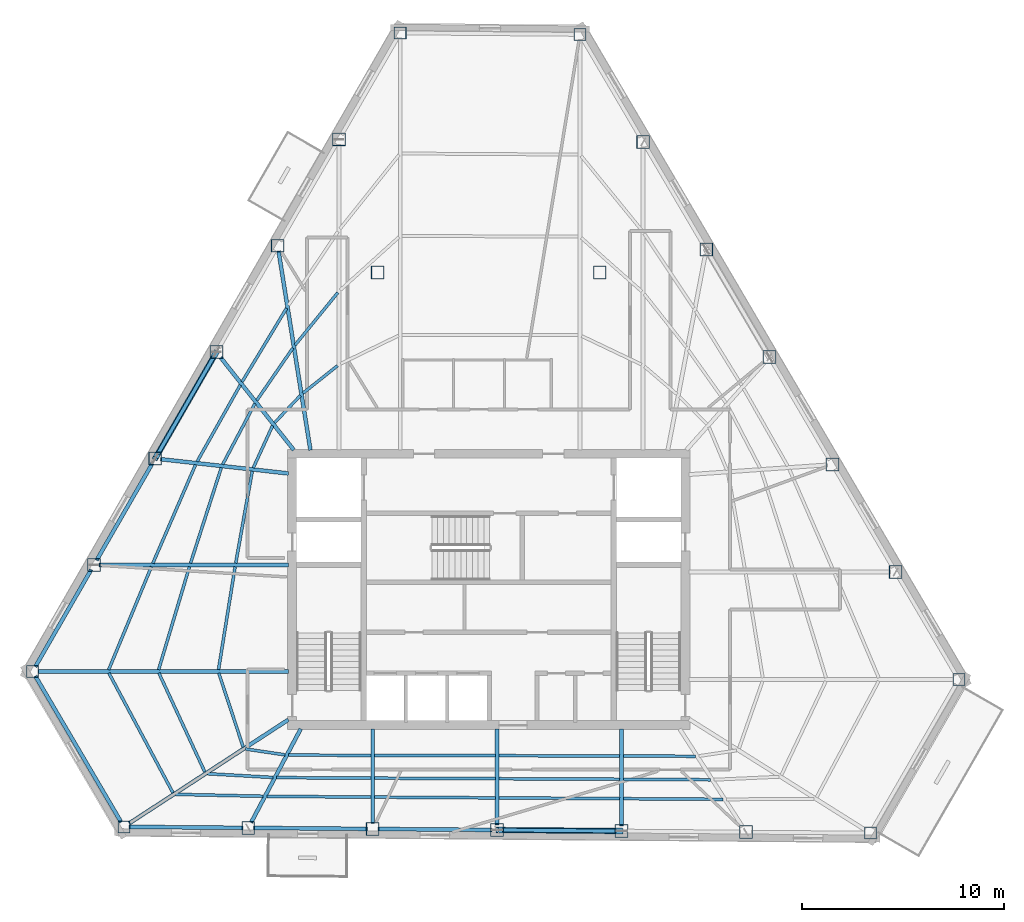
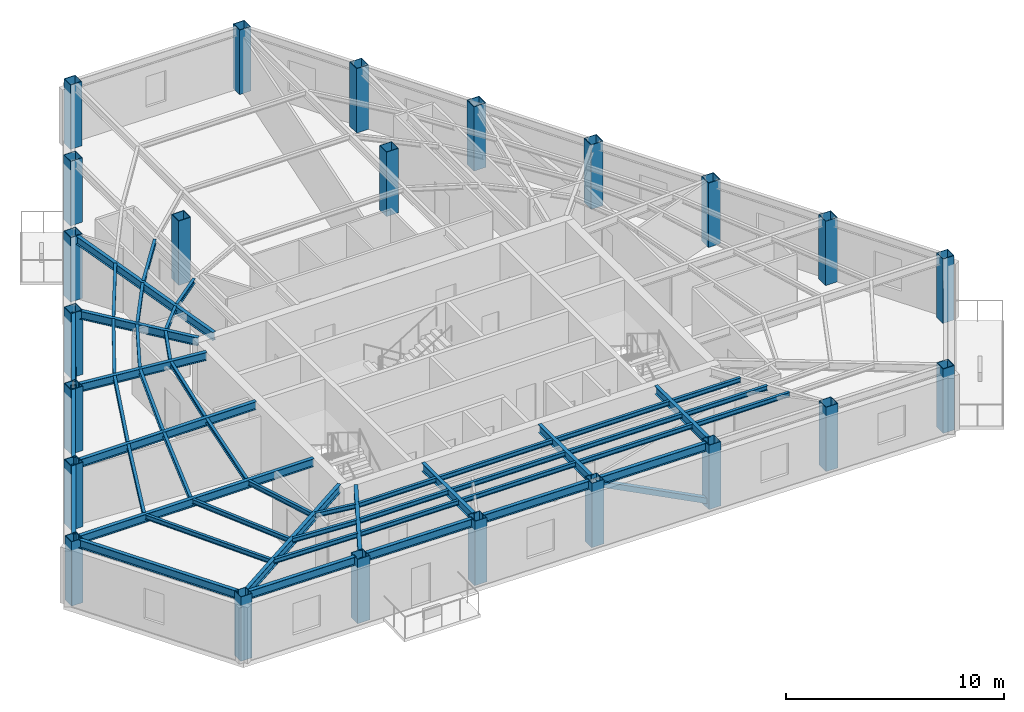
# One storey, part 1 of 12: 50 beams, 23 columns, 2 members.
"""IFC4 building model written with IfcOpenShell, lengths in metres."""

from ifc_helpers import new_model, si_unit, direction, frame, origin, origin_2d, place, context, subcontext, project, spatial, hollow_rectangle, i_section, extrude, material, material_profile, profile_set, type_object, element, save


model = new_model("IFC4")

# Units and contexts
model_context = context("Model", 3, precision=1e-05, world=origin(), true_north=direction((0.0, 1.0)))
body_context = subcontext(model_context, "Body", "Model", "MODEL_VIEW")
ifc_project = project(units=[si_unit("LENGTHUNIT", "METRE"), si_unit("AREAUNIT", "SQUARE_METRE"), si_unit("VOLUMEUNIT", "CUBIC_METRE"), si_unit("PLANEANGLEUNIT", "RADIAN"), si_unit("MASSUNIT", "GRAM", prefix="KILO")], contexts=[model_context])

# Site, building, storey
site_placement = place(None, origin())
site = spatial("IfcSite", under=ifc_project, at=site_placement, CompositionType="ELEMENT")
building_placement = place(site_placement, origin())
building = spatial("IfcBuilding", under=site, at=building_placement, Name="Kavelnor Concourse Tower", CompositionType="ELEMENT")
storey_placement = place(building_placement, frame((0.0, 0.0, 191.949951171875)))
storey = spatial("IfcBuildingStorey", under=building, at=storey_placement, Name="L48", CompositionType="ELEMENT", Elevation=191.949951171875)

# Columns
ifc_material = material(Name="Steel Grade 350", Category="steel")
ifc_material_profile_1 = material_profile(ifc_material, hollow_rectangle(XDim=0.60009765625, YDim=0.60009765625, WallThickness=0.028076171875, at=origin_2d()), Name="SHS 600x600x28")
ifc_profile_set_1 = profile_set([ifc_material_profile_1], Name="Steel Grade 350")
column_type_1 = type_object("IfcColumnType", Name="COL-FOLD-Z3", PredefinedType="COLUMN", material=ifc_profile_set_1)
for number, where, z_axis, x_axis, name in (
    (1, (33.617431640625, 43.663330078125, 0.0), (0.0, 0.0, 1.0), (1.0, 0.0, 0.0), "L48 Perimeter Corner-Fold Column F0-B0"),
    (2, (15.412841796875, 12.04345703125, 0.0), (0.0, 0.0, 1.0), (1.0, 0.0, 0.0), "L48 Perimeter Corner-Fold Column F0-B6"),
    (3, (19.93212890625, 4.34619140625, 0.0), (0.0, 0.0, 1.0), (1.0, 0.0, 0.0), "L48 Perimeter Corner-Fold Column F1-B0"),
    (4, (56.900634765625, 4.03125, 0.0), (0.0, 0.0, 1.0), (1.0, 0.0, 0.0), "L48 Perimeter Corner-Fold Column F1-B6"),
    (5, (61.2802734375, 11.638427734375, 0.0), (0.0, 0.0, 1.0), (1.0, 0.0, 0.0), "L48 Perimeter Corner-Fold Column F2-B0"),
    (6, (42.522216796875, 43.58740234375, 0.0), (0.0, 0.0, 1.0), (1.0, 0.0, 0.0), "L48 Perimeter Corner-Fold Column F2-B6"),
):
    element("IfcColumn", number, at=place(storey_placement, frame(where, z_axis=z_axis, x_axis=x_axis)), inside=storey, type_object=column_type_1, Name=name, PredefinedType="COLUMN", context=body_context, shape_type="SweptSolid", body=[
        extrude(hollow_rectangle(XDim=0.60009765625, YDim=0.60009765625, WallThickness=0.028076171875, at=origin_2d()), origin(), (0.0, 0.0, 1.0), 3.60009765625),
    ])
ifc_material_profile_2 = material_profile(ifc_material, hollow_rectangle(XDim=0.639892578125, YDim=0.639892578125, WallThickness=0.028076171875, at=origin_2d()), Name="SHS 640x640x28")
ifc_profile_set_2 = profile_set([ifc_material_profile_2], Name="Steel Grade 350")
column_type_2 = type_object("IfcColumnType", Name="COL-TUBE-Z3", PredefinedType="COLUMN", material=ifc_profile_set_2)
for number, where, z_axis, x_axis, name in (
    (7, (30.58349609375, 38.393310546875, 0.0), (0.0, 0.0, 1.0), (1.0, 0.0, 0.0), "L48 Perimeter Framed-Tube Column F0-B1"),
    (8, (27.54931640625, 33.123291015625, 0.0), (0.0, 0.0, 1.0), (1.0, 0.0, 0.0), "L48 Perimeter Framed-Tube Column F0-B2"),
    (9, (24.51513671875, 27.853515625, 0.0), (0.0, 0.0, 1.0), (1.0, 0.0, 0.0), "L48 Perimeter Framed-Tube Column F0-B3"),
    (10, (21.481201171875, 22.58349609375, 0.0), (0.0, 0.0, 1.0), (1.0, 0.0, 0.0), "L48 Perimeter Framed-Tube Column F0-B4"),
    (11, (18.447021484375, 17.3134765625, 0.0), (0.0, 0.0, 1.0), (1.0, 0.0, 0.0), "L48 Perimeter Framed-Tube Column F0-B5"),
    (12, (26.093505859375, 4.293701171875, 0.0), (0.0, 0.0, 1.0), (1.0, 0.0, 0.0), "L48 Perimeter Framed-Tube Column F1-B1"),
    (13, (32.2548828125, 4.2412109375, 0.0), (0.0, 0.0, 1.0), (1.0, 0.0, 0.0), "L48 Perimeter Framed-Tube Column F1-B2"),
    (14, (38.41650390625, 4.188720703125, 0.0), (0.0, 0.0, 1.0), (1.0, 0.0, 0.0), "L48 Perimeter Framed-Tube Column F1-B3"),
    (15, (44.577880859375, 4.13623046875, 0.0), (0.0, 0.0, 1.0), (1.0, 0.0, 0.0), "L48 Perimeter Framed-Tube Column F1-B4"),
    (16, (50.7392578125, 4.083740234375, 0.0), (0.0, 0.0, 1.0), (1.0, 0.0, 0.0), "L48 Perimeter Framed-Tube Column F1-B5"),
    (17, (58.15380859375, 16.96337890625, 0.0), (0.0, 0.0, 1.0), (1.0, 0.0, 0.0), "L48 Perimeter Framed-Tube Column F2-B1"),
    (18, (55.027587890625, 22.2880859375, 0.0), (0.0, 0.0, 1.0), (1.0, 0.0, 0.0), "L48 Perimeter Framed-Tube Column F2-B2"),
    (19, (51.901123046875, 27.61279296875, 0.0), (0.0, 0.0, 1.0), (1.0, 0.0, 0.0), "L48 Perimeter Framed-Tube Column F2-B3"),
    (20, (48.77490234375, 32.937744140625, 0.0), (0.0, 0.0, 1.0), (1.0, 0.0, 0.0), "L48 Perimeter Framed-Tube Column F2-B4"),
    (21, (45.6484375, 38.2626953125, 0.0), (0.0, 0.0, 1.0), (1.0, 0.0, 0.0), "L48 Perimeter Framed-Tube Column F2-B5"),
    (22, (32.5, 31.800048828125, 0.0), (0.0, 0.0, 1.0), (1.0, 0.0, 0.0), "L48 North Interior Gravity Column BC-NW"),
    (23, (43.5, 31.800048828125, 0.0), (0.0, 0.0, 1.0), (1.0, 0.0, 0.0), "L48 North Interior Gravity Column BC-NE"),
):
    element("IfcColumn", number, at=place(storey_placement, frame(where, z_axis=z_axis, x_axis=x_axis)), inside=storey, type_object=column_type_2, Name=name, PredefinedType="COLUMN", context=body_context, shape_type="SweptSolid", body=[
        extrude(hollow_rectangle(XDim=0.639892578125, YDim=0.639892578125, WallThickness=0.028076171875, at=origin_2d()), origin(), (0.0, 0.0, 1.0), 3.60009765625),
    ])

# Beams
ifc_material_profile_3 = material_profile(ifc_material, i_section(OverallWidth=0.14599609375, OverallDepth=0.256103515625, WebThickness=0.00634765625, FlangeThickness=0.010986328125, at=origin_2d()), Name="250UB37")
ifc_profile_set_3 = profile_set([ifc_material_profile_3], Name="Steel Grade 350")
beam_type_1 = type_object("IfcBeamType", Name="BM-JOIST-250", PredefinedType="JOIST", material=ifc_profile_set_3)
beam_1_placement = place(storey_placement, frame((24.6337890625, 11.958984375, 3.47216796875), z_axis=(0.313072497392, -0.949729230558, 0.0), x_axis=(0.949729230558, 0.313072497392, 0.0)))
element("IfcBeam", 24, at=beam_1_placement, inside=storey, type_object=beam_type_1, Name="L48 Secondary Composite Joist 01-1", PredefinedType="JOIST", context=body_context, shape_type="SweptSolid", body=[
    extrude(i_section(OverallWidth=0.14599609375, OverallDepth=0.256103515625, WebThickness=0.00634765625, FlangeThickness=0.010986328125, at=origin_2d()), origin(), (0.0, 0.0, 1.0), 3.85546875),
])
beam_2_placement = place(storey_placement, frame((21.665771484375, 11.962646484375, 3.47216796875), z_axis=(0.421160430378, -0.906986158596, 0.0), x_axis=(0.906986158596, 0.421160430378, 0.0)))
element("IfcBeam", 25, at=beam_2_placement, inside=storey, type_object=beam_type_1, Name="L48 Secondary Composite Joist 01-2", PredefinedType="JOIST", context=body_context, shape_type="SweptSolid", body=[
    extrude(i_section(OverallWidth=0.14599609375, OverallDepth=0.256103515625, WebThickness=0.00634765625, FlangeThickness=0.010986328125, at=origin_2d()), origin(), (0.0, 0.0, 1.0), 5.402587890625),
])
beam_3_placement = place(storey_placement, frame((19.18896484375, 11.96484375, 3.47216796875), z_axis=(0.471740858247, -0.88173724128, 0.0), x_axis=(0.88173724128, 0.471740858247, 0.0)))
element("IfcBeam", 26, at=beam_3_placement, inside=storey, type_object=beam_type_1, Name="L48 Secondary Composite Joist 01-3", PredefinedType="JOIST", context=body_context, shape_type="SweptSolid", body=[
    extrude(i_section(OverallWidth=0.14599609375, OverallDepth=0.256103515625, WebThickness=0.00634765625, FlangeThickness=0.010986328125, at=origin_2d()), origin(), (0.0, 0.0, 1.0), 6.725830078125),
])
beam_4_placement = place(storey_placement, frame((25.95654296875, 8.19970703125, 3.47216796875), z_axis=(0.989213398726, -0.146481574886, 0.0), x_axis=(0.146481574886, 0.989213398726, 0.0)))
element("IfcBeam", 27, at=beam_4_placement, inside=storey, type_object=beam_type_1, Name="L48 Secondary Composite Joist 02-1", PredefinedType="JOIST", context=body_context, shape_type="SweptSolid", body=[
    extrude(i_section(OverallWidth=0.14599609375, OverallDepth=0.256103515625, WebThickness=0.00634765625, FlangeThickness=0.010986328125, at=origin_2d()), origin(), (0.0, 0.0, 1.0), 1.978271484375),
])
beam_5_placement = place(storey_placement, frame((24.0673828125, 6.976806640625, 3.47216796875), z_axis=(0.998346143934, -0.057488928435, 0.0), x_axis=(0.057488928435, 0.998346143934, 0.0)))
element("IfcBeam", 28, at=beam_5_placement, inside=storey, type_object=beam_type_1, Name="L48 Secondary Composite Joist 02-2", PredefinedType="JOIST", context=body_context, shape_type="SweptSolid", body=[
    extrude(i_section(OverallWidth=0.14599609375, OverallDepth=0.256103515625, WebThickness=0.00634765625, FlangeThickness=0.010986328125, at=origin_2d()), origin(), (0.0, 0.0, 1.0), 3.261474609375),
])
beam_6_placement = place(storey_placement, frame((22.49267578125, 5.9541015625, 3.47216796875), z_axis=(0.999758149646, -0.021991867033, 0.0), x_axis=(0.021991867033, 0.999758149646, 0.0)))
element("IfcBeam", 29, at=beam_6_placement, inside=storey, type_object=beam_type_1, Name="L48 Secondary Composite Joist 02-3", PredefinedType="JOIST", context=body_context, shape_type="SweptSolid", body=[
    extrude(i_section(OverallWidth=0.14599609375, OverallDepth=0.256103515625, WebThickness=0.00634765625, FlangeThickness=0.010986328125, at=origin_2d()), origin(), (0.0, 0.0, 1.0), 4.340576171875),
])
beam_7_placement = place(storey_placement, frame((28.0908203125, 7.896728515625, 3.47216796875), z_axis=(0.999995513679, -0.002995433482, 0.0), x_axis=(0.002995433482, 0.999995513679, 0.0)))
element("IfcBeam", 30, at=beam_7_placement, inside=storey, type_object=beam_type_1, Name="L48 Secondary Composite Joist 03-1", PredefinedType="JOIST", context=body_context, shape_type="SweptSolid", body=[
    extrude(i_section(OverallWidth=0.14599609375, OverallDepth=0.256103515625, WebThickness=0.00634765625, FlangeThickness=0.010986328125, at=origin_2d()), origin(), (0.0, 0.0, 1.0), 4.0751953125),
])
beam_8_placement = place(storey_placement, frame((27.501220703125, 6.78369140625, 3.47216796875), z_axis=(0.999983728507, -0.005704622725, 0.0), x_axis=(0.005704622725, 0.999983728507, 0.0)))
element("IfcBeam", 31, at=beam_8_placement, inside=storey, type_object=beam_type_1, Name="L48 Secondary Composite Joist 03-2", PredefinedType="JOIST", context=body_context, shape_type="SweptSolid", body=[
    extrude(i_section(OverallWidth=0.14599609375, OverallDepth=0.256103515625, WebThickness=0.00634765625, FlangeThickness=0.010986328125, at=origin_2d()), origin(), (0.0, 0.0, 1.0), 4.664794921875),
])
beam_9_placement = place(storey_placement, frame((27.01025390625, 5.856201171875, 3.47216796875), z_axis=(0.999971657365, -0.007528908681, 0.0), x_axis=(0.007528908681, 0.999971657365, 0.0)))
element("IfcBeam", 32, at=beam_9_placement, inside=storey, type_object=beam_type_1, Name="L48 Secondary Composite Joist 03-3", PredefinedType="JOIST", context=body_context, shape_type="SweptSolid", body=[
    extrude(i_section(OverallWidth=0.14599609375, OverallDepth=0.256103515625, WebThickness=0.00634765625, FlangeThickness=0.010986328125, at=origin_2d()), origin(), (0.0, 0.0, 1.0), 5.156005859375),
])
for number, where, z_axis, x_axis, name in (
    (33, (32.343994140625, 7.884033203125, 3.47216796875), (0.999997199675, -0.002366567553, 0.0), (0.002366567553, 0.999997199675, 0.0), "L48 Secondary Composite Joist 04-1"),
    (34, (32.343994140625, 6.756103515625, 3.47216796875), (0.999990290532, -0.004406681548, 0.0), (0.004406681548, 0.999990290532, 0.0), "L48 Secondary Composite Joist 04-2"),
    (35, (32.343994140625, 5.81640625, 3.47216796875), (0.999981020018, -0.006161136528, 0.0), (0.006161136528, 0.999981020018, 0.0), "L48 Secondary Composite Joist 04-3"),
    (36, (38.50537109375, 7.869384765625, 3.47216796875), (0.999997199675, -0.002366567553, 0.0), (0.002366567553, 0.999997199675, 0.0), "L48 Secondary Composite Joist 05-1"),
    (37, (38.50537109375, 6.72900390625, 3.47216796875), (0.999990109897, -0.004447483352, 0.0), (0.004447483352, 0.999990109897, 0.0), "L48 Secondary Composite Joist 05-2"),
    (38, (38.50537109375, 5.778564453125, 3.47216796875), (0.999981270569, -0.006120335833, 0.0), (0.006120335833, 0.999981270569, 0.0), "L48 Secondary Composite Joist 05-3"),
):
    element("IfcBeam", number, at=place(storey_placement, frame(where, z_axis=z_axis, x_axis=x_axis)), inside=storey, type_object=beam_type_1, Name=name, PredefinedType="JOIST", context=body_context, shape_type="SweptSolid", body=[
        extrude(i_section(OverallWidth=0.14599609375, OverallDepth=0.256103515625, WebThickness=0.00634765625, FlangeThickness=0.010986328125, at=origin_2d()), origin(), (0.0, 0.0, 1.0), 5.9833984375),
    ])
beam_10_placement = place(storey_placement, frame((44.666748046875, 7.8544921875, 3.47216796875), z_axis=(0.999989210103, -0.004645393243, 0.0), x_axis=(0.004645393243, 0.999989210103, 0.0)))
element("IfcBeam", 39, at=beam_10_placement, inside=storey, type_object=beam_type_1, Name="L48 Secondary Composite Joist 06-1", PredefinedType="JOIST", context=body_context, shape_type="SweptSolid", body=[
    extrude(i_section(OverallWidth=0.14599609375, OverallDepth=0.256103515625, WebThickness=0.00634765625, FlangeThickness=0.010986328125, at=origin_2d()), origin(), (0.0, 0.0, 1.0), 3.57373046875),
])
beam_11_placement = place(storey_placement, frame((44.666748046875, 6.701416015625, 3.47216796875), z_axis=(0.999982056052, -0.005990623824, 0.0), x_axis=(0.005990623824, 0.999982056052, 0.0)))
element("IfcBeam", 40, at=beam_11_placement, inside=storey, type_object=beam_type_1, Name="L48 Secondary Composite Joist 06-2", PredefinedType="JOIST", context=body_context, shape_type="SweptSolid", body=[
    extrude(i_section(OverallWidth=0.14599609375, OverallDepth=0.256103515625, WebThickness=0.00634765625, FlangeThickness=0.010986328125, at=origin_2d()), origin(), (0.0, 0.0, 1.0), 4.31982421875),
])
beam_12_placement = place(storey_placement, frame((44.666748046875, 5.74072265625, 3.47216796875), z_axis=(0.999976421275, -0.006867087721, 0.0), x_axis=(0.006867087721, 0.999976421275, 0.0)))
element("IfcBeam", 41, at=beam_12_placement, inside=storey, type_object=beam_type_1, Name="L48 Secondary Composite Joist 06-3", PredefinedType="JOIST", context=body_context, shape_type="SweptSolid", body=[
    extrude(i_section(OverallWidth=0.14599609375, OverallDepth=0.256103515625, WebThickness=0.00634765625, FlangeThickness=0.010986328125, at=origin_2d()), origin(), (0.0, 0.0, 1.0), 4.941650390625),
])
beam_13_placement = place(storey_placement, frame((30.513916015625, 27.181884765625, 3.47216796875), z_axis=(-0.782593654269, -0.622532868447, 0.0), x_axis=(0.622532868447, -0.782593654269, 0.0)))
element("IfcBeam", 42, at=beam_13_placement, inside=storey, type_object=beam_type_1, Name="L48 Secondary Composite Joist 17-1", PredefinedType="JOIST", context=body_context, shape_type="SweptSolid", body=[
    extrude(i_section(OverallWidth=0.14599609375, OverallDepth=0.256103515625, WebThickness=0.00634765625, FlangeThickness=0.010986328125, at=origin_2d()), origin(), (0.0, 0.0, 1.0), 2.19189453125),
])
beam_14_placement = place(storey_placement, frame((30.527099609375, 30.80029296875, 3.47216796875), z_axis=(-0.63179920018, -0.77513209884, 0.0), x_axis=(0.77513209884, -0.63179920018, 0.0)))
element("IfcBeam", 43, at=beam_14_placement, inside=storey, type_object=beam_type_1, Name="L48 Secondary Composite Joist 17-2", PredefinedType="JOIST", context=body_context, shape_type="SweptSolid", body=[
    extrude(i_section(OverallWidth=0.14599609375, OverallDepth=0.256103515625, WebThickness=0.00634765625, FlangeThickness=0.010986328125, at=origin_2d()), origin(), (0.0, 0.0, 1.0), 3.357177734375),
])
beam_15_placement = place(storey_placement, frame((28.667724609375, 25.697509765625, 3.47216796875), z_axis=(-0.688198135668, -0.725522794999, 0.0), x_axis=(0.725522794999, -0.688198135668, 0.0)))
element("IfcBeam", 44, at=beam_15_placement, inside=storey, type_object=beam_type_1, Name="L48 Secondary Composite Joist 18-1", PredefinedType="JOIST", context=body_context, shape_type="SweptSolid", body=[
    extrude(i_section(OverallWidth=0.14599609375, OverallDepth=0.256103515625, WebThickness=0.00634765625, FlangeThickness=0.010986328125, at=origin_2d()), origin(), (0.0, 0.0, 1.0), 1.85107421875),
])
beam_16_placement = place(storey_placement, frame((28.29931640625, 28.0556640625, 3.47216796875), z_axis=(-0.566772299625, -0.82387448096, 0.0), x_axis=(0.82387448096, -0.566772299625, 0.0)))
element("IfcBeam", 45, at=beam_16_placement, inside=storey, type_object=beam_type_1, Name="L48 Secondary Composite Joist 18-2", PredefinedType="JOIST", context=body_context, shape_type="SweptSolid", body=[
    extrude(i_section(OverallWidth=0.14599609375, OverallDepth=0.256103515625, WebThickness=0.00634765625, FlangeThickness=0.010986328125, at=origin_2d()), origin(), (0.0, 0.0, 1.0), 3.14892578125),
])
beam_17_placement = place(storey_placement, frame((27.987548828125, 30.025146484375, 3.47216796875), z_axis=(-0.516846109292, -0.856078325452, 0.0), x_axis=(0.856078325452, -0.516846109292, 0.0)))
element("IfcBeam", 46, at=beam_17_placement, inside=storey, type_object=beam_type_1, Name="L48 Secondary Composite Joist 18-3", PredefinedType="JOIST", context=body_context, shape_type="SweptSolid", body=[
    extrude(i_section(OverallWidth=0.14599609375, OverallDepth=0.256103515625, WebThickness=0.00634765625, FlangeThickness=0.010986328125, at=origin_2d()), origin(), (0.0, 0.0, 1.0), 4.25830078125),
])
beam_18_placement = place(storey_placement, frame((27.29541015625, 24.208984375, 3.47216796875), z_axis=(-0.415968693672, -0.909378934155, 0.0), x_axis=(0.909378934155, -0.415968693672, 0.0)))
element("IfcBeam", 47, at=beam_18_placement, inside=storey, type_object=beam_type_1, Name="L48 Secondary Composite Joist 19-1", PredefinedType="JOIST", context=body_context, shape_type="SweptSolid", body=[
    extrude(i_section(OverallWidth=0.14599609375, OverallDepth=0.256103515625, WebThickness=0.00634765625, FlangeThickness=0.010986328125, at=origin_2d()), origin(), (0.0, 0.0, 1.0), 2.2919921875),
])
beam_19_placement = place(storey_placement, frame((26.422607421875, 25.3095703125, 3.47216796875), z_axis=(-0.46789100652, -0.883786176639, 0.0), x_axis=(0.883786176639, -0.46789100652, 0.0)))
element("IfcBeam", 48, at=beam_19_placement, inside=storey, type_object=beam_type_1, Name="L48 Secondary Composite Joist 19-2", PredefinedType="JOIST", context=body_context, shape_type="SweptSolid", body=[
    extrude(i_section(OverallWidth=0.14599609375, OverallDepth=0.256103515625, WebThickness=0.00634765625, FlangeThickness=0.010986328125, at=origin_2d()), origin(), (0.0, 0.0, 1.0), 3.41357421875),
])
beam_20_placement = place(storey_placement, frame((25.697021484375, 26.225830078125, 3.47216796875), z_axis=(-0.49094805896, -0.871188844857, 0.0), x_axis=(0.871188844857, -0.49094805896, 0.0)))
element("IfcBeam", 49, at=beam_20_placement, inside=storey, type_object=beam_type_1, Name="L48 Secondary Composite Joist 19-3", PredefinedType="JOIST", context=body_context, shape_type="SweptSolid", body=[
    extrude(i_section(OverallWidth=0.14599609375, OverallDepth=0.256103515625, WebThickness=0.00634765625, FlangeThickness=0.010986328125, at=origin_2d()), origin(), (0.0, 0.0, 1.0), 4.353271484375),
])
beam_21_placement = place(storey_placement, frame((26.289306640625, 21.956298828125, 3.47216796875), z_axis=(-0.176763647611, -0.984253327596, 0.0), x_axis=(0.984253327596, -0.176763647611, 0.0)))
element("IfcBeam", 50, at=beam_21_placement, inside=storey, type_object=beam_type_1, Name="L48 Secondary Composite Joist 20-1", PredefinedType="JOIST", context=body_context, shape_type="SweptSolid", body=[
    extrude(i_section(OverallWidth=0.14599609375, OverallDepth=0.256103515625, WebThickness=0.00634765625, FlangeThickness=0.010986328125, at=origin_2d()), origin(), (0.0, 0.0, 1.0), 4.62841796875),
])
beam_22_placement = place(storey_placement, frame((24.756591796875, 22.12939453125, 3.47216796875), z_axis=(-0.306455934503, -0.951884846086, 0.0), x_axis=(0.951884846086, -0.306455934503, 0.0)))
element("IfcBeam", 51, at=beam_22_placement, inside=storey, type_object=beam_type_1, Name="L48 Secondary Composite Joist 20-2", PredefinedType="JOIST", context=body_context, shape_type="SweptSolid", body=[
    extrude(i_section(OverallWidth=0.14599609375, OverallDepth=0.256103515625, WebThickness=0.00634765625, FlangeThickness=0.010986328125, at=origin_2d()), origin(), (0.0, 0.0, 1.0), 4.970458984375),
])
beam_23_placement = place(storey_placement, frame((23.480712890625, 22.274169921875, 3.47216796875), z_axis=(-0.397562340005, -0.9175751663, 0.0), x_axis=(0.9175751663, -0.397562340005, 0.0)))
element("IfcBeam", 52, at=beam_23_placement, inside=storey, type_object=beam_type_1, Name="L48 Secondary Composite Joist 20-3", PredefinedType="JOIST", context=body_context, shape_type="SweptSolid", body=[
    extrude(i_section(OverallWidth=0.14599609375, OverallDepth=0.256103515625, WebThickness=0.00634765625, FlangeThickness=0.010986328125, at=origin_2d()), origin(), (0.0, 0.0, 1.0), 5.3173828125),
])
beam_24_placement = place(storey_placement, frame((25.44140625, 17.2255859375, 3.47216796875), z_axis=(-0.159164010812, -0.987252155056, 0.0), x_axis=(0.987252155056, -0.159164010812, 0.0)))
element("IfcBeam", 53, at=beam_24_placement, inside=storey, type_object=beam_type_1, Name="L48 Secondary Composite Joist 21-1", PredefinedType="JOIST", context=body_context, shape_type="SweptSolid", body=[
    extrude(i_section(OverallWidth=0.14599609375, OverallDepth=0.256103515625, WebThickness=0.00634765625, FlangeThickness=0.010986328125, at=origin_2d()), origin(), (0.0, 0.0, 1.0), 5.159912109375),
])
beam_25_placement = place(storey_placement, frame((23.180419921875, 17.22802734375, 3.47216796875), z_axis=(-0.286796611106, -0.957991494669, 0.0), x_axis=(0.957991494669, -0.286796611106, 0.0)))
element("IfcBeam", 54, at=beam_25_placement, inside=storey, type_object=beam_type_1, Name="L48 Secondary Composite Joist 21-2", PredefinedType="JOIST", context=body_context, shape_type="SweptSolid", body=[
    extrude(i_section(OverallWidth=0.14599609375, OverallDepth=0.256103515625, WebThickness=0.00634765625, FlangeThickness=0.010986328125, at=origin_2d()), origin(), (0.0, 0.0, 1.0), 5.322998046875),
])
beam_26_placement = place(storey_placement, frame((21.29736328125, 17.231201171875, 3.47216796875), z_axis=(-0.382930443302, -0.923777178541, 0.0), x_axis=(0.923777178541, -0.382930443302, 0.0)))
element("IfcBeam", 55, at=beam_26_placement, inside=storey, type_object=beam_type_1, Name="L48 Secondary Composite Joist 21-3", PredefinedType="JOIST", context=body_context, shape_type="SweptSolid", body=[
    extrude(i_section(OverallWidth=0.14599609375, OverallDepth=0.256103515625, WebThickness=0.00634765625, FlangeThickness=0.010986328125, at=origin_2d()), origin(), (0.0, 0.0, 1.0), 5.527099609375),
])
ifc_material_profile_4 = material_profile(ifc_material, i_section(OverallWidth=0.18994140625, OverallDepth=0.4541015625, WebThickness=0.008544921875, FlangeThickness=0.0126953125, at=origin_2d()), Name="460UB67")
ifc_profile_set_4 = profile_set([ifc_material_profile_4], Name="Steel Grade 350")
beam_type_2 = type_object("IfcBeamType", Name="BM-PRIMARY-460", PredefinedType="BEAM", material=ifc_profile_set_4)
beam_27_placement = place(storey_placement, frame((29.171630859375, 23.00048828125, 3.373046875), z_axis=(-0.158244077876, 0.987400026239, 0.0), x_axis=(-0.987400026239, -0.158244077876, 0.0)))
element("IfcBeam", 56, at=beam_27_placement, inside=storey, type_object=beam_type_2, Name="L48 Primary Floor Girder F0-B2", PredefinedType="BEAM", context=body_context, shape_type="SweptSolid", body=[
    extrude(i_section(OverallWidth=0.18994140625, OverallDepth=0.4541015625, WebThickness=0.008544921875, FlangeThickness=0.0126953125, at=origin_2d()), origin(), (0.0, 0.0, 1.0), 9.988037109375),
])
beam_28_placement = place(storey_placement, frame((28.345458984375, 23.008544921875, 3.373046875), z_axis=(-0.620188272602, 0.78445299829, 0.0), x_axis=(-0.78445299829, -0.620188272602, 0.0)))
element("IfcBeam", 57, at=beam_28_placement, inside=storey, type_object=beam_type_2, Name="L48 Primary Floor Girder F0-B3", PredefinedType="BEAM", context=body_context, shape_type="SweptSolid", body=[
    extrude(i_section(OverallWidth=0.18994140625, OverallDepth=0.4541015625, WebThickness=0.008544921875, FlangeThickness=0.0126953125, at=origin_2d()), origin(), (0.0, 0.0, 1.0), 5.83349609375),
])
beam_29_placement = place(storey_placement, frame((28.079833984375, 21.845458984375, 3.373046875), z_axis=(-0.99380694022, 0.111120500229, 0.0), x_axis=(-0.111120500229, -0.99380694022, 0.0)))
element("IfcBeam", 58, at=beam_29_placement, inside=storey, type_object=beam_type_2, Name="L48 Primary Floor Girder F0-B4", PredefinedType="BEAM", context=body_context, shape_type="SweptSolid", body=[
    extrude(i_section(OverallWidth=0.18994140625, OverallDepth=0.4541015625, WebThickness=0.008544921875, FlangeThickness=0.0126953125, at=origin_2d()), origin(), (0.0, 0.0, 1.0), 6.378173828125),
])
beam_30_placement = place(storey_placement, frame((28.080078125, 17.3134765625, 3.373046875), z_axis=(-1.0, 0.0, 0.0), x_axis=(0.0, -1.0, 0.0)))
element("IfcBeam", 59, at=beam_30_placement, inside=storey, type_object=beam_type_2, Name="L48 Primary Floor Girder F0-B5", PredefinedType="BEAM", context=body_context, shape_type="SweptSolid", body=[
    extrude(i_section(OverallWidth=0.18994140625, OverallDepth=0.4541015625, WebThickness=0.008544921875, FlangeThickness=0.0126953125, at=origin_2d()), origin(), (0.0, 0.0, 1.0), 9.373046875),
])
beam_31_placement = place(storey_placement, frame((28.080078125, 12.04345703125, 3.373046875), z_axis=(-1.0, 0.0, 0.0), x_axis=(0.0, -1.0, 0.0)))
element("IfcBeam", 60, at=beam_31_placement, inside=storey, type_object=beam_type_2, Name="L48 Primary Floor Girder F0-B6", PredefinedType="BEAM", context=body_context, shape_type="SweptSolid", body=[
    extrude(i_section(OverallWidth=0.18994140625, OverallDepth=0.4541015625, WebThickness=0.008544921875, FlangeThickness=0.0126953125, at=origin_2d()), origin(), (0.0, 0.0, 1.0), 12.4072265625),
])
beam_32_placement = place(storey_placement, frame((28.073486328125, 9.64892578125, 3.373046875), z_axis=(-0.837929841971, -0.545777958455, 0.0), x_axis=(0.545777958455, -0.837929841971, 0.0)))
element("IfcBeam", 61, at=beam_32_placement, inside=storey, type_object=beam_type_2, Name="L48 Primary Floor Girder F1-B0", PredefinedType="BEAM", context=body_context, shape_type="SweptSolid", body=[
    extrude(i_section(OverallWidth=0.18994140625, OverallDepth=0.4541015625, WebThickness=0.008544921875, FlangeThickness=0.0126953125, at=origin_2d()), origin(), (0.0, 0.0, 1.0), 9.39794921875),
])
beam_33_placement = place(storey_placement, frame((28.689208984375, 9.1953125, 3.373046875), z_axis=(-0.467992471108, -0.883732452152, 0.0), x_axis=(0.883732452152, -0.467992471108, 0.0)))
element("IfcBeam", 62, at=beam_33_placement, inside=storey, type_object=beam_type_2, Name="L48 Primary Floor Girder F1-B1", PredefinedType="BEAM", context=body_context, shape_type="SweptSolid", body=[
    extrude(i_section(OverallWidth=0.18994140625, OverallDepth=0.4541015625, WebThickness=0.008544921875, FlangeThickness=0.0126953125, at=origin_2d()), origin(), (0.0, 0.0, 1.0), 5.2470703125),
])
beam_34_placement = place(storey_placement, frame((32.2548828125, 9.199951171875, 3.373046875), z_axis=(0.0, -1.0, 0.0), x_axis=(1.0, 0.0, 0.0)))
element("IfcBeam", 63, at=beam_34_placement, inside=storey, type_object=beam_type_2, Name="L48 Primary Floor Girder F1-B2", PredefinedType="BEAM", context=body_context, shape_type="SweptSolid", body=[
    extrude(i_section(OverallWidth=0.18994140625, OverallDepth=0.4541015625, WebThickness=0.008544921875, FlangeThickness=0.0126953125, at=origin_2d()), origin(), (0.0, 0.0, 1.0), 4.69873046875),
])
beam_35_placement = place(storey_placement, frame((38.41650390625, 9.199951171875, 3.373046875), z_axis=(0.0, -1.0, 0.0), x_axis=(1.0, 0.0, 0.0)))
element("IfcBeam", 64, at=beam_35_placement, inside=storey, type_object=beam_type_2, Name="L48 Primary Floor Girder F1-B3", PredefinedType="BEAM", context=body_context, shape_type="SweptSolid", body=[
    extrude(i_section(OverallWidth=0.18994140625, OverallDepth=0.4541015625, WebThickness=0.008544921875, FlangeThickness=0.0126953125, at=origin_2d()), origin(), (0.0, 0.0, 1.0), 4.751220703125),
])
beam_36_placement = place(storey_placement, frame((44.577880859375, 9.199951171875, 3.373046875), z_axis=(0.0, -1.0, 0.0), x_axis=(1.0, 0.0, 0.0)))
element("IfcBeam", 65, at=beam_36_placement, inside=storey, type_object=beam_type_2, Name="L48 Primary Floor Girder F1-B4", PredefinedType="BEAM", context=body_context, shape_type="SweptSolid", body=[
    extrude(i_section(OverallWidth=0.18994140625, OverallDepth=0.4541015625, WebThickness=0.008544921875, FlangeThickness=0.0126953125, at=origin_2d()), origin(), (0.0, 0.0, 1.0), 4.8037109375),
])
ifc_material_profile_5 = material_profile(ifc_material, i_section(OverallWidth=0.19091796875, OverallDepth=0.4599609375, WebThickness=0.010009765625, FlangeThickness=0.01611328125, at=origin_2d()), Name="460UB82")
ifc_profile_set_5 = profile_set([ifc_material_profile_5], Name="Steel Grade 350")
beam_type_3 = type_object("IfcBeamType", Name="BM-SPANDREL-Z3", PredefinedType="SPANDREL", material=ifc_profile_set_5)
beam_37_placement = place(storey_placement, frame((24.383056640625, 27.623779296875, 3.3701171875), z_axis=(-0.498954435565, -0.866628219728, 0.0), x_axis=(0.866628219728, -0.498954435565, 0.0)))
element("IfcBeam", 66, at=beam_37_placement, inside=storey, type_object=beam_type_3, Name="L48 Perimeter Tube Spandrel Beam F0-B3", PredefinedType="SPANDREL", context=body_context, shape_type="SweptSolid", body=[
    extrude(i_section(OverallWidth=0.19091796875, OverallDepth=0.4599609375, WebThickness=0.010009765625, FlangeThickness=0.01611328125, at=origin_2d()), origin(), (0.0, 0.0, 1.0), 5.55126953125),
])
beam_38_placement = place(storey_placement, frame((21.348876953125, 22.353759765625, 3.3701171875), z_axis=(-0.498973453525, -0.866617270009, 0.0), x_axis=(0.866617270009, -0.498973453525, 0.0)))
element("IfcBeam", 67, at=beam_38_placement, inside=storey, type_object=beam_type_3, Name="L48 Perimeter Tube Spandrel Beam F0-B4", PredefinedType="SPANDREL", context=body_context, shape_type="SweptSolid", body=[
    extrude(i_section(OverallWidth=0.19091796875, OverallDepth=0.4599609375, WebThickness=0.010009765625, FlangeThickness=0.01611328125, at=origin_2d()), origin(), (0.0, 0.0, 1.0), 5.551025390625),
])
beam_39_placement = place(storey_placement, frame((18.314697265625, 17.083740234375, 3.3701171875), z_axis=(-0.498940420989, -0.866636288361, 0.0), x_axis=(0.866636288361, -0.498940420989, 0.0)))
element("IfcBeam", 68, at=beam_39_placement, inside=storey, type_object=beam_type_3, Name="L48 Perimeter Tube Spandrel Beam F0-B5", PredefinedType="SPANDREL", context=body_context, shape_type="SweptSolid", body=[
    extrude(i_section(OverallWidth=0.19091796875, OverallDepth=0.4599609375, WebThickness=0.010009765625, FlangeThickness=0.01611328125, at=origin_2d()), origin(), (0.0, 0.0, 1.0), 5.55078125),
])
for number, where, z_axis, x_axis, name in (
    (69, (20.197265625, 4.343994140625, 3.3701171875), (0.999963530138, -0.008540397791, 0.0), (0.008540397791, 0.999963530138, 0.0), "L48 Perimeter Tube Spandrel Beam F1-B0"),
    (70, (26.358642578125, 4.29150390625, 3.3701171875), (0.999963530138, -0.008540397791, 0.0), (0.008540397791, 0.999963530138, 0.0), "L48 Perimeter Tube Spandrel Beam F1-B1"),
    (71, (32.52001953125, 4.239013671875, 3.3701171875), (0.999963530138, -0.008540397791, 0.0), (0.008540397791, 0.999963530138, 0.0), "L48 Perimeter Tube Spandrel Beam F1-B2"),
    (72, (38.681396484375, 4.186279296875, 3.3701171875), (0.999964266844, -0.008453699473, 0.0), (0.008453699473, 0.999964266844, 0.0), "L48 Perimeter Tube Spandrel Beam F1-B3"),
):
    element("IfcBeam", number, at=place(storey_placement, frame(where, z_axis=z_axis, x_axis=x_axis)), inside=storey, type_object=beam_type_3, Name=name, PredefinedType="SPANDREL", context=body_context, shape_type="SweptSolid", body=[
        extrude(i_section(OverallWidth=0.19091796875, OverallDepth=0.4599609375, WebThickness=0.010009765625, FlangeThickness=0.01611328125, at=origin_2d()), origin(), (0.0, 0.0, 1.0), 5.631591796875),
    ])
beam_40_placement = place(storey_placement, frame((15.547119140625, 11.81494140625, 3.3701171875), z_axis=(0.506313403, -0.862349545105, 0.0), x_axis=(0.862349545105, 0.506313403, 0.0)))
element("IfcBeam", 73, at=beam_40_placement, inside=storey, type_object=beam_type_3, Name="L48 Chamfer Facet Spandrel Beam C1", PredefinedType="SPANDREL", context=body_context, shape_type="SweptSolid", body=[
    extrude(i_section(OverallWidth=0.19091796875, OverallDepth=0.4599609375, WebThickness=0.010009765625, FlangeThickness=0.01611328125, at=origin_2d()), origin(), (0.0, 0.0, 1.0), 8.39599609375),
])

# Members
ifc_material_profile_6 = material_profile(ifc_material, hollow_rectangle(XDim=0.280029296875, YDim=0.280029296875, WallThickness=0.01611328125, at=origin_2d()), Name="SHS 280x280x16")
ifc_profile_set_6 = profile_set([ifc_material_profile_6], Name="Steel Grade 350")
member_type = type_object("IfcMemberType", Name="MBR-TUBE-DIAG-Z3", PredefinedType="BRACE", material=ifc_profile_set_6)
member_1_placement = place(storey_placement, frame((24.51513671875, 27.853515625, 0.219970703125), z_axis=(-0.443010418183, -0.769519826739, 0.459979353489), x_axis=(0.866645077575, -0.498925154221, 0.0)))
element("IfcMember", 74, at=member_1_placement, inside=storey, type_object=member_type, Name="L48 Framed-Tube Bracing Diagonal F0-B3", PredefinedType="BRACE", context=body_context, shape_type="SweptSolid", body=[
    extrude(hollow_rectangle(XDim=0.280029296875, YDim=0.280029296875, WallThickness=0.01611328125, at=origin_2d()), origin(), (0.0, 0.0, 1.0), 6.848388671875),
])
member_2_placement = place(storey_placement, frame((44.577880859375, 4.13623046875, 0.219970703125), z_axis=(-0.890350600848, 0.00758510834, 0.455212339135), x_axis=(-0.008518928492, -0.99996371327, 0.0)))
element("IfcMember", 75, at=member_2_placement, inside=storey, type_object=member_type, Name="L48 Framed-Tube Bracing Diagonal F1-B3", PredefinedType="BRACE", context=body_context, shape_type="SweptSolid", body=[
    extrude(hollow_rectangle(XDim=0.280029296875, YDim=0.280029296875, WallThickness=0.01611328125, at=origin_2d()), origin(), (0.0, 0.0, 1.0), 6.920166015625),
])

save(model, "model.ifc")
